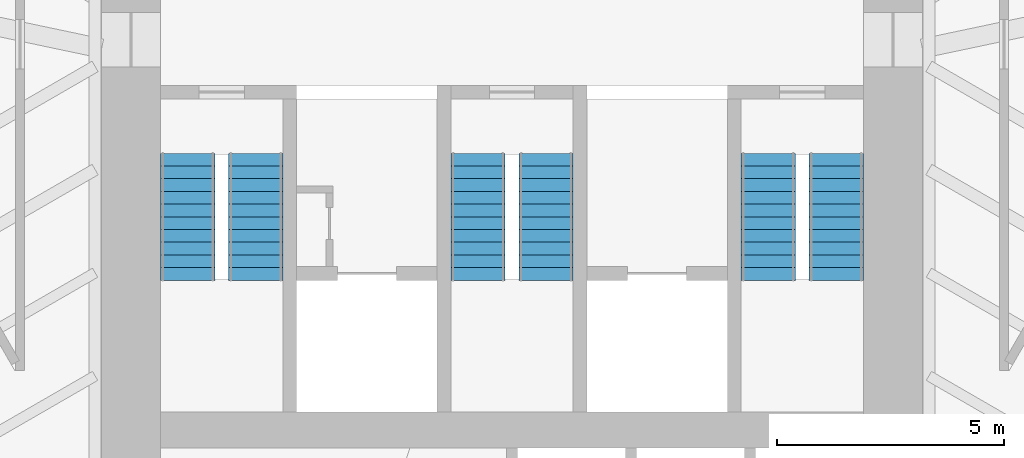
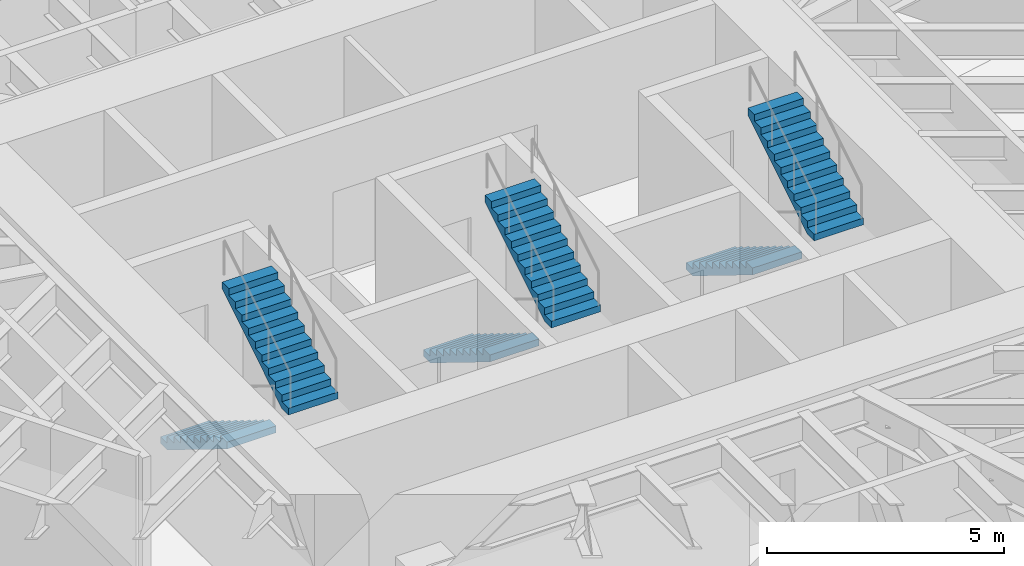
# One storey, part 16 of 17: 6 stair flights, 3 elements without a shape of their own.
"""IFC4 building model written with IfcOpenShell, lengths in metres."""

from ifc_helpers import new_model, si_unit, direction, frame, origin, place, context, subcontext, project, spatial, polyline, outline, extrude, material, type_object, element, aggregate, save


model = new_model("IFC4")

# Units and contexts
model_context = context("Model", 3, precision=1e-05, world=origin(), true_north=direction((0.0, 1.0)))
body_context = subcontext(model_context, "Body", "Model", "MODEL_VIEW")
ifc_project = project(units=[si_unit("LENGTHUNIT", "METRE"), si_unit("AREAUNIT", "SQUARE_METRE"), si_unit("VOLUMEUNIT", "CUBIC_METRE"), si_unit("PLANEANGLEUNIT", "RADIAN"), si_unit("MASSUNIT", "GRAM", prefix="KILO")], contexts=[model_context])

# Site, building, storey
site_placement = place(None, origin())
site = spatial("IfcSite", under=ifc_project, at=site_placement, CompositionType="ELEMENT")
building_placement = place(site_placement, origin())
building = spatial("IfcBuilding", under=site, at=building_placement, Name="Sandreach Pilgrim Tower", CompositionType="ELEMENT")
storey_placement = place(building_placement, frame((0.0, 0.0, 138.60009765625)))
storey = spatial("IfcBuildingStorey", under=building, at=storey_placement, Name="L34", CompositionType="ELEMENT", Elevation=138.60009765625)

# Stair, stair flights
ifc_material_1 = material(Name="Concrete 8000 psi", Category="concrete")
stair_type = type_object("IfcStairType", Name="Core exit stair", PredefinedType="HALF_TURN_STAIR", material=ifc_material_1)
stair_1_placement = place(storey_placement, origin())
stair_1 = element("IfcStair", 1, at=stair_1_placement, inside=storey, type_object=stair_type, Name="Exit stair ST1 L34", PredefinedType="HALF_TURN_STAIR")
ifc_material_2 = material(Name="Concrete 8000 psi", Category="concrete")
stair_flight_type = type_object("IfcStairFlightType", Name="Core stair flight 1200", PredefinedType="STRAIGHT", material=ifc_material_2)
stair_flight_1_placement = place(storey_placement, frame((-7.14990234375, -0.39990234375, 0.0), z_axis=(0.0, 0.0, 1.0), x_axis=(0.0, -1.0, 0.0)))
stair_flight_1 = element("IfcStairFlight", 2, at=stair_flight_1_placement, type_object=stair_flight_type, Name="ST1 flight 1", NumberOfRisers=11, NumberOfTreads=10, PredefinedType="STRAIGHT", RiserHeight=0.172727273, TreadLength=0.28, context=body_context, shape_type="SweptSolid", body=[
    extrude(outline(polyline([(0.0, 0.0), (0.0, 0.172607421875), (0.280029296875, 0.172607421875), (0.280029296875, 0.345458984375), (0.56005859375, 0.345458984375), (0.56005859375, 0.51806640625), (0.840087890625, 0.51806640625), (0.840087890625, 0.69091796875), (1.1201171875, 0.69091796875), (1.1201171875, 0.863525390625), (1.39990234375, 0.863525390625), (1.39990234375, 1.036376953125), (1.679931640625, 1.036376953125), (1.679931640625, 1.208984375), (1.9599609375, 1.208984375), (1.9599609375, 1.3818359375), (2.239990234375, 1.3818359375), (2.239990234375, 1.554443359375), (2.52001953125, 1.554443359375), (2.52001953125, 1.727294921875), (2.800048828125, 1.727294921875), (2.800048828125, 1.89990234375), (2.800048828125, 1.551025390625), (0.285400390625, 0.0), (0.0, 0.0)])), frame((0.0, 0.60009765625, 0.0), z_axis=(0.0, -1.0, 0.0), x_axis=(1.0, 0.0, 0.0)), (0.0, 0.0, 1.0), 1.199951171875),
])
stair_flight_2_placement = place(storey_placement, frame((-5.64990234375, -3.199951171875, 1.89990234375), z_axis=(0.0, 0.0, 1.0), x_axis=(0.0, 1.0, 0.0)))
stair_flight_2 = element("IfcStairFlight", 3, at=stair_flight_2_placement, type_object=stair_flight_type, Name="ST1 flight 2", NumberOfRisers=11, NumberOfTreads=10, PredefinedType="STRAIGHT", RiserHeight=0.172727273, TreadLength=0.28, context=body_context, shape_type="SweptSolid", body=[
    extrude(outline(polyline([(0.0, 0.0), (0.0, 0.172607421875), (0.280029296875, 0.172607421875), (0.280029296875, 0.345458984375), (0.56005859375, 0.345458984375), (0.56005859375, 0.51806640625), (0.840087890625, 0.51806640625), (0.840087890625, 0.69091796875), (1.1201171875, 0.69091796875), (1.1201171875, 0.863525390625), (1.39990234375, 0.863525390625), (1.39990234375, 1.036376953125), (1.679931640625, 1.036376953125), (1.679931640625, 1.208984375), (1.9599609375, 1.208984375), (1.9599609375, 1.3818359375), (2.239990234375, 1.3818359375), (2.239990234375, 1.554443359375), (2.52001953125, 1.554443359375), (2.52001953125, 1.727294921875), (2.800048828125, 1.727294921875), (2.800048828125, 1.89990234375), (2.800048828125, 1.551025390625), (0.285400390625, 0.0), (0.0, 0.0)])), frame((0.0, 0.60009765625, 0.0), z_axis=(0.0, -1.0, 0.0), x_axis=(1.0, 0.0, 0.0)), (0.0, 0.0, 1.0), 1.199951171875),
])
aggregate(stair_1, [stair_flight_1, stair_flight_2])

stair_2_placement = place(storey_placement, origin())
stair_2 = element("IfcStair", 4, at=stair_2_placement, inside=storey, type_object=stair_type, Name="Exit stair ST3 L34", PredefinedType="HALF_TURN_STAIR")
stair_flight_3_placement = place(storey_placement, frame((-0.75, -0.39990234375, 0.0), z_axis=(0.0, 0.0, 1.0), x_axis=(0.0, -1.0, 0.0)))
stair_flight_3 = element("IfcStairFlight", 5, at=stair_flight_3_placement, type_object=stair_flight_type, Name="ST3 flight 1", NumberOfRisers=11, NumberOfTreads=10, PredefinedType="STRAIGHT", RiserHeight=0.172727273, TreadLength=0.28, context=body_context, shape_type="SweptSolid", body=[
    extrude(outline(polyline([(0.0, 0.0), (0.0, 0.172607421875), (0.280029296875, 0.172607421875), (0.280029296875, 0.345458984375), (0.56005859375, 0.345458984375), (0.56005859375, 0.51806640625), (0.840087890625, 0.51806640625), (0.840087890625, 0.69091796875), (1.1201171875, 0.69091796875), (1.1201171875, 0.863525390625), (1.39990234375, 0.863525390625), (1.39990234375, 1.036376953125), (1.679931640625, 1.036376953125), (1.679931640625, 1.208984375), (1.9599609375, 1.208984375), (1.9599609375, 1.3818359375), (2.239990234375, 1.3818359375), (2.239990234375, 1.554443359375), (2.52001953125, 1.554443359375), (2.52001953125, 1.727294921875), (2.800048828125, 1.727294921875), (2.800048828125, 1.89990234375), (2.800048828125, 1.551025390625), (0.285400390625, 0.0), (0.0, 0.0)])), frame((0.0, 0.60009765625, 0.0), z_axis=(0.0, -1.0, 0.0), x_axis=(1.0, 0.0, 0.0)), (0.0, 0.0, 1.0), 1.199951171875),
])
stair_flight_4_placement = place(storey_placement, frame((0.75, -3.199951171875, 1.89990234375), z_axis=(0.0, 0.0, 1.0), x_axis=(0.0, 1.0, 0.0)))
stair_flight_4 = element("IfcStairFlight", 6, at=stair_flight_4_placement, type_object=stair_flight_type, Name="ST3 flight 2", NumberOfRisers=11, NumberOfTreads=10, PredefinedType="STRAIGHT", RiserHeight=0.172727273, TreadLength=0.28, context=body_context, shape_type="SweptSolid", body=[
    extrude(outline(polyline([(0.0, 0.0), (0.0, 0.172607421875), (0.280029296875, 0.172607421875), (0.280029296875, 0.345458984375), (0.56005859375, 0.345458984375), (0.56005859375, 0.51806640625), (0.840087890625, 0.51806640625), (0.840087890625, 0.69091796875), (1.1201171875, 0.69091796875), (1.1201171875, 0.863525390625), (1.39990234375, 0.863525390625), (1.39990234375, 1.036376953125), (1.679931640625, 1.036376953125), (1.679931640625, 1.208984375), (1.9599609375, 1.208984375), (1.9599609375, 1.3818359375), (2.239990234375, 1.3818359375), (2.239990234375, 1.554443359375), (2.52001953125, 1.554443359375), (2.52001953125, 1.727294921875), (2.800048828125, 1.727294921875), (2.800048828125, 1.89990234375), (2.800048828125, 1.551025390625), (0.285400390625, 0.0), (0.0, 0.0)])), frame((0.0, 0.60009765625, 0.0), z_axis=(0.0, -1.0, 0.0), x_axis=(1.0, 0.0, 0.0)), (0.0, 0.0, 1.0), 1.199951171875),
])
aggregate(stair_2, [stair_flight_3, stair_flight_4])

stair_3_placement = place(storey_placement, origin())
stair_3 = element("IfcStair", 7, at=stair_3_placement, inside=storey, type_object=stair_type, Name="Exit stair ST2 L34", PredefinedType="HALF_TURN_STAIR")
stair_flight_5_placement = place(storey_placement, frame((5.64990234375, -0.39990234375, 0.0), z_axis=(0.0, 0.0, 1.0), x_axis=(0.0, -1.0, 0.0)))
stair_flight_5 = element("IfcStairFlight", 8, at=stair_flight_5_placement, type_object=stair_flight_type, Name="ST2 flight 1", NumberOfRisers=11, NumberOfTreads=10, PredefinedType="STRAIGHT", RiserHeight=0.172727273, TreadLength=0.28, context=body_context, shape_type="SweptSolid", body=[
    extrude(outline(polyline([(0.0, 0.0), (0.0, 0.172607421875), (0.280029296875, 0.172607421875), (0.280029296875, 0.345458984375), (0.56005859375, 0.345458984375), (0.56005859375, 0.51806640625), (0.840087890625, 0.51806640625), (0.840087890625, 0.69091796875), (1.1201171875, 0.69091796875), (1.1201171875, 0.863525390625), (1.39990234375, 0.863525390625), (1.39990234375, 1.036376953125), (1.679931640625, 1.036376953125), (1.679931640625, 1.208984375), (1.9599609375, 1.208984375), (1.9599609375, 1.3818359375), (2.239990234375, 1.3818359375), (2.239990234375, 1.554443359375), (2.52001953125, 1.554443359375), (2.52001953125, 1.727294921875), (2.800048828125, 1.727294921875), (2.800048828125, 1.89990234375), (2.800048828125, 1.551025390625), (0.285400390625, 0.0), (0.0, 0.0)])), frame((0.0, 0.60009765625, 0.0), z_axis=(0.0, -1.0, 0.0), x_axis=(1.0, 0.0, 0.0)), (0.0, 0.0, 1.0), 1.199951171875),
])
stair_flight_6_placement = place(storey_placement, frame((7.14990234375, -3.199951171875, 1.89990234375), z_axis=(0.0, 0.0, 1.0), x_axis=(0.0, 1.0, 0.0)))
stair_flight_6 = element("IfcStairFlight", 9, at=stair_flight_6_placement, type_object=stair_flight_type, Name="ST2 flight 2", NumberOfRisers=11, NumberOfTreads=10, PredefinedType="STRAIGHT", RiserHeight=0.172727273, TreadLength=0.28, context=body_context, shape_type="SweptSolid", body=[
    extrude(outline(polyline([(0.0, 0.0), (0.0, 0.172607421875), (0.280029296875, 0.172607421875), (0.280029296875, 0.345458984375), (0.56005859375, 0.345458984375), (0.56005859375, 0.51806640625), (0.840087890625, 0.51806640625), (0.840087890625, 0.69091796875), (1.1201171875, 0.69091796875), (1.1201171875, 0.863525390625), (1.39990234375, 0.863525390625), (1.39990234375, 1.036376953125), (1.679931640625, 1.036376953125), (1.679931640625, 1.208984375), (1.9599609375, 1.208984375), (1.9599609375, 1.3818359375), (2.239990234375, 1.3818359375), (2.239990234375, 1.554443359375), (2.52001953125, 1.554443359375), (2.52001953125, 1.727294921875), (2.800048828125, 1.727294921875), (2.800048828125, 1.89990234375), (2.800048828125, 1.551025390625), (0.285400390625, 0.0), (0.0, 0.0)])), frame((0.0, 0.60009765625, 0.0), z_axis=(0.0, -1.0, 0.0), x_axis=(1.0, 0.0, 0.0)), (0.0, 0.0, 1.0), 1.199951171875),
])
aggregate(stair_3, [stair_flight_5, stair_flight_6])

save(model, "model.ifc")
